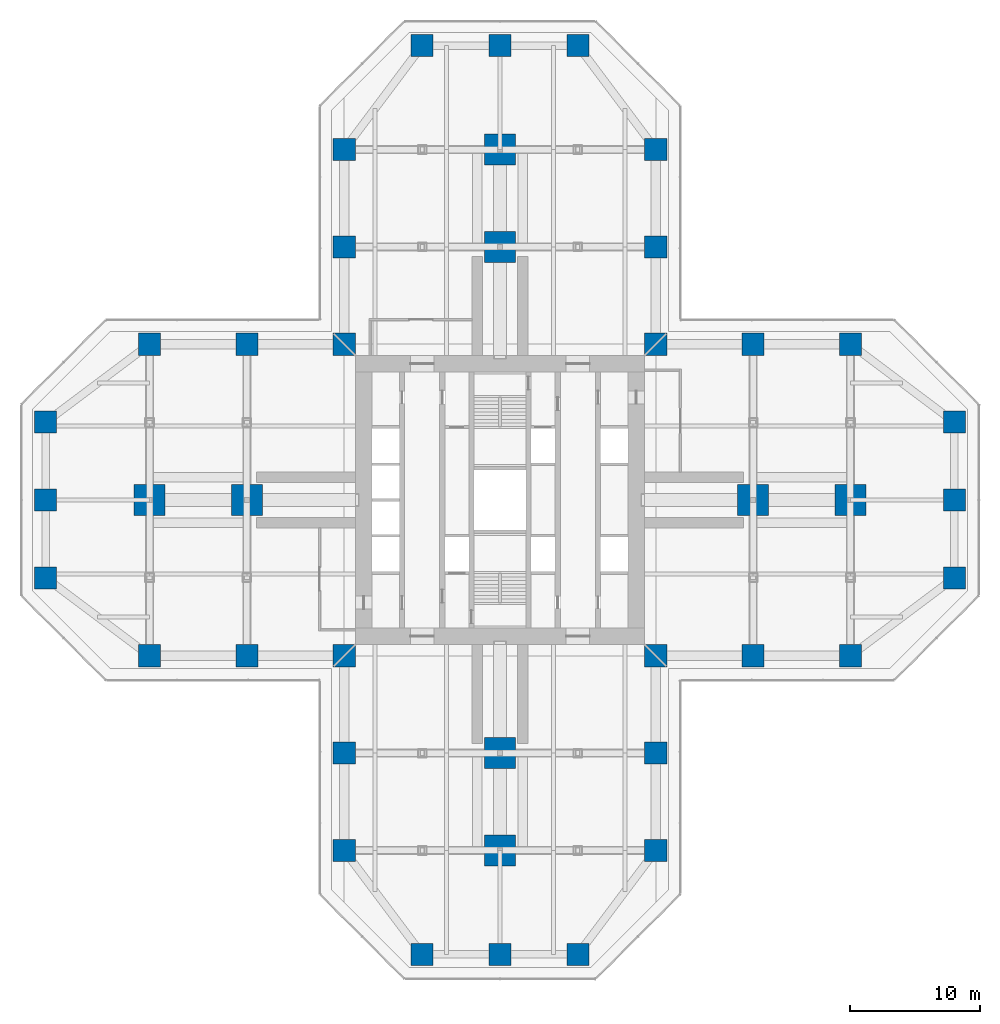
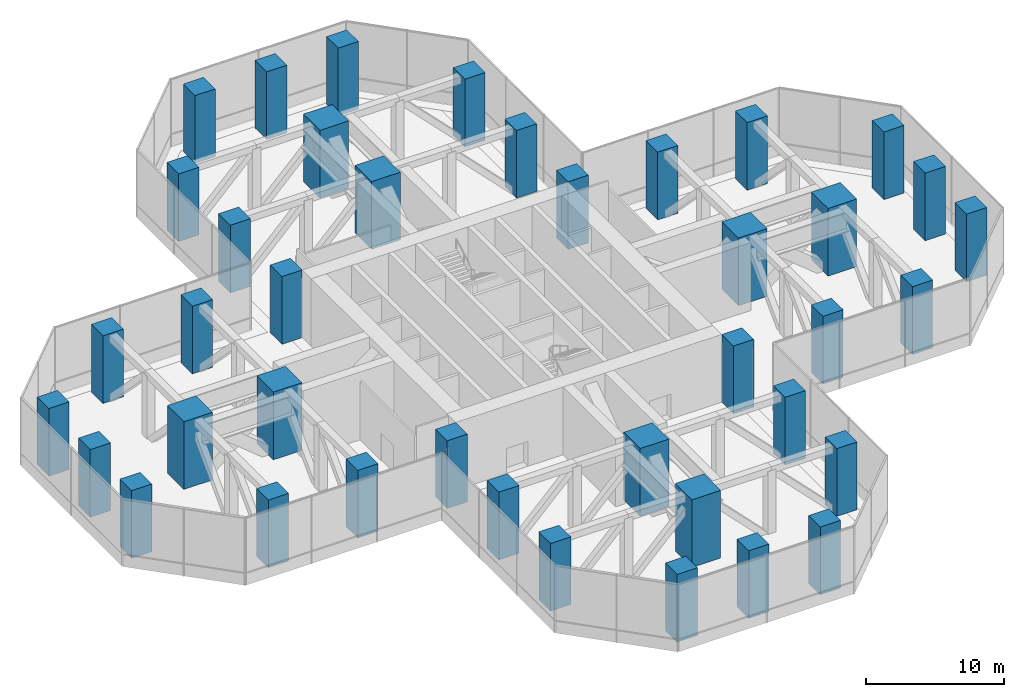
# One storey, part 1 of 19: 40 columns.
"""IFC4 building model written with IfcOpenShell, lengths in metres."""

from ifc_helpers import new_model, si_unit, direction, frame, origin, origin_2d, place, context, subcontext, project, spatial, rectangle, extrude, material, material_profile, profile_set, type_object, element, save


model = new_model("IFC4")

# Units and contexts
model_context = context("Model", 3, precision=1e-05, world=origin(), true_north=direction((0.0, 1.0)))
body_context = subcontext(model_context, "Body", "Model", "MODEL_VIEW")
ifc_project = project(units=[si_unit("LENGTHUNIT", "METRE"), si_unit("AREAUNIT", "SQUARE_METRE"), si_unit("VOLUMEUNIT", "CUBIC_METRE"), si_unit("PLANEANGLEUNIT", "RADIAN"), si_unit("MASSUNIT", "GRAM", prefix="KILO")], contexts=[model_context])

# Site, building, storey
site_placement = place(None, origin())
site = spatial("IfcSite", under=ifc_project, at=site_placement, CompositionType="ELEMENT")
building_placement = place(site_placement, origin())
building = spatial("IfcBuilding", under=site, at=building_placement, Name="Mizan Broadcast Tower", CompositionType="ELEMENT")
storey_placement = place(building_placement, frame((0.0, 0.0, 37.5)))
storey = spatial("IfcBuildingStorey", under=building, at=storey_placement, Name="L06", CompositionType="ELEMENT", Elevation=37.5)

# Columns
ifc_material_1 = material(Name="Concrete C70/85", Category="concrete")
ifc_material_profile_1 = material_profile(ifc_material_1, rectangle(XDim=1.699951171875, YDim=1.699951171875, at=origin_2d()), Name="RC 1700x1700")
ifc_profile_set_1 = profile_set([ifc_material_profile_1], Name="Concrete C70/85")
column_type_1 = type_object("IfcColumnType", Name="RC COLUMN 1700x1700 C70/85", PredefinedType="COLUMN", material=ifc_profile_set_1)
for number, where, z_axis, x_axis, name in (
    (1, (-6.0, -35.0, 0.0), (0.0, 0.0, 1.0), (1.0, 0.0, 0.0), "Column 5/A L06"),
    (2, (0.0, -35.0, 0.0), (0.0, 0.0, 1.0), (1.0, 0.0, 0.0), "Column 6/A L06"),
    (3, (6.0, -35.0, 0.0), (0.0, 0.0, 1.0), (1.0, 0.0, 0.0), "Column 7/A L06"),
    (4, (-12.0, -27.0, 0.0), (0.0, 0.0, 1.0), (1.0, 0.0, 0.0), "Column 4/B L06"),
    (5, (12.0, -27.0, 0.0), (0.0, 0.0, 1.0), (1.0, 0.0, 0.0), "Column 8/B L06"),
    (6, (-12.0, -19.5, 0.0), (0.0, 0.0, 1.0), (1.0, 0.0, 0.0), "Column 4/C L06"),
    (7, (12.0, -19.5, 0.0), (0.0, 0.0, 1.0), (1.0, 0.0, 0.0), "Column 8/C L06"),
    (8, (-27.0, -12.0, 0.0), (0.0, 0.0, 1.0), (1.0, 0.0, 0.0), "Column 2/D L06"),
    (9, (-19.5, -12.0, 0.0), (0.0, 0.0, 1.0), (1.0, 0.0, 0.0), "Column 3/D L06"),
    (10, (-12.0, -12.0, 0.0), (0.0, 0.0, 1.0), (1.0, 0.0, 0.0), "Column 4/D L06"),
    (11, (12.0, -12.0, 0.0), (0.0, 0.0, 1.0), (1.0, 0.0, 0.0), "Column 8/D L06"),
    (12, (19.5, -12.0, 0.0), (0.0, 0.0, 1.0), (1.0, 0.0, 0.0), "Column 9/D L06"),
    (13, (27.0, -12.0, 0.0), (0.0, 0.0, 1.0), (1.0, 0.0, 0.0), "Column 10/D L06"),
    (14, (-35.0, -6.0, 0.0), (0.0, 0.0, 1.0), (1.0, 0.0, 0.0), "Column 1/E L06"),
    (15, (35.0, -6.0, 0.0), (0.0, 0.0, 1.0), (1.0, 0.0, 0.0), "Column 11/E L06"),
    (16, (-35.0, 0.0, 0.0), (0.0, 0.0, 1.0), (1.0, 0.0, 0.0), "Column 1/F L06"),
    (17, (35.0, 0.0, 0.0), (0.0, 0.0, 1.0), (1.0, 0.0, 0.0), "Column 11/F L06"),
    (18, (-35.0, 6.0, 0.0), (0.0, 0.0, 1.0), (1.0, 0.0, 0.0), "Column 1/G L06"),
    (19, (35.0, 6.0, 0.0), (0.0, 0.0, 1.0), (1.0, 0.0, 0.0), "Column 11/G L06"),
    (20, (-27.0, 12.0, 0.0), (0.0, 0.0, 1.0), (1.0, 0.0, 0.0), "Column 2/H L06"),
    (21, (-19.5, 12.0, 0.0), (0.0, 0.0, 1.0), (1.0, 0.0, 0.0), "Column 3/H L06"),
    (22, (-12.0, 12.0, 0.0), (0.0, 0.0, 1.0), (1.0, 0.0, 0.0), "Column 4/H L06"),
    (23, (12.0, 12.0, 0.0), (0.0, 0.0, 1.0), (1.0, 0.0, 0.0), "Column 8/H L06"),
    (24, (19.5, 12.0, 0.0), (0.0, 0.0, 1.0), (1.0, 0.0, 0.0), "Column 9/H L06"),
    (25, (27.0, 12.0, 0.0), (0.0, 0.0, 1.0), (1.0, 0.0, 0.0), "Column 10/H L06"),
    (26, (-12.0, 19.5, 0.0), (0.0, 0.0, 1.0), (1.0, 0.0, 0.0), "Column 4/J L06"),
    (27, (12.0, 19.5, 0.0), (0.0, 0.0, 1.0), (1.0, 0.0, 0.0), "Column 8/J L06"),
    (28, (-12.0, 27.0, 0.0), (0.0, 0.0, 1.0), (1.0, 0.0, 0.0), "Column 4/K L06"),
    (29, (12.0, 27.0, 0.0), (0.0, 0.0, 1.0), (1.0, 0.0, 0.0), "Column 8/K L06"),
    (30, (-6.0, 35.0, 0.0), (0.0, 0.0, 1.0), (1.0, 0.0, 0.0), "Column 5/L L06"),
    (31, (0.0, 35.0, 0.0), (0.0, 0.0, 1.0), (1.0, 0.0, 0.0), "Column 6/L L06"),
    (32, (6.0, 35.0, 0.0), (0.0, 0.0, 1.0), (1.0, 0.0, 0.0), "Column 7/L L06"),
):
    element("IfcColumn", number, at=place(storey_placement, frame(where, z_axis=z_axis, x_axis=x_axis)), inside=storey, type_object=column_type_1, Name=name, PredefinedType="COLUMN", context=body_context, shape_type="SweptSolid", body=[
        extrude(rectangle(XDim=1.699951171875, YDim=1.699951171875, at=origin_2d()), origin(), (0.0, 0.0, 1.0), 6.0),
    ])
ifc_material_2 = material(Name="Concrete C70/85", Category="concrete")
ifc_material_profile_2 = material_profile(ifc_material_2, rectangle(XDim=2.39990234375, YDim=2.39990234375, at=origin_2d()), Name="RC 2400x2400")
ifc_profile_set_2 = profile_set([ifc_material_profile_2], Name="Concrete C70/85")
column_type_2 = type_object("IfcColumnType", Name="RC COLUMN 2400x2400 C70/85", PredefinedType="COLUMN", material=ifc_profile_set_2)
for number, where, z_axis, x_axis, name in (
    (33, (0.0, -27.0, 0.0), (0.0, 0.0, 1.0), (1.0, 0.0, 0.0), "Column 6/B L06"),
    (34, (0.0, -19.5, 0.0), (0.0, 0.0, 1.0), (1.0, 0.0, 0.0), "Column 6/C L06"),
    (35, (-27.0, 0.0, 0.0), (0.0, 0.0, 1.0), (1.0, 0.0, 0.0), "Column 2/F L06"),
    (36, (-19.5, 0.0, 0.0), (0.0, 0.0, 1.0), (1.0, 0.0, 0.0), "Column 3/F L06"),
    (37, (19.5, 0.0, 0.0), (0.0, 0.0, 1.0), (1.0, 0.0, 0.0), "Column 9/F L06"),
    (38, (27.0, 0.0, 0.0), (0.0, 0.0, 1.0), (1.0, 0.0, 0.0), "Column 10/F L06"),
    (39, (0.0, 19.5, 0.0), (0.0, 0.0, 1.0), (1.0, 0.0, 0.0), "Column 6/J L06"),
    (40, (0.0, 27.0, 0.0), (0.0, 0.0, 1.0), (1.0, 0.0, 0.0), "Column 6/K L06"),
):
    element("IfcColumn", number, at=place(storey_placement, frame(where, z_axis=z_axis, x_axis=x_axis)), inside=storey, type_object=column_type_2, Name=name, PredefinedType="COLUMN", context=body_context, shape_type="SweptSolid", body=[
        extrude(rectangle(XDim=2.39990234375, YDim=2.39990234375, at=origin_2d()), origin(), (0.0, 0.0, 1.0), 6.0),
    ])

save(model, "model.ifc")
